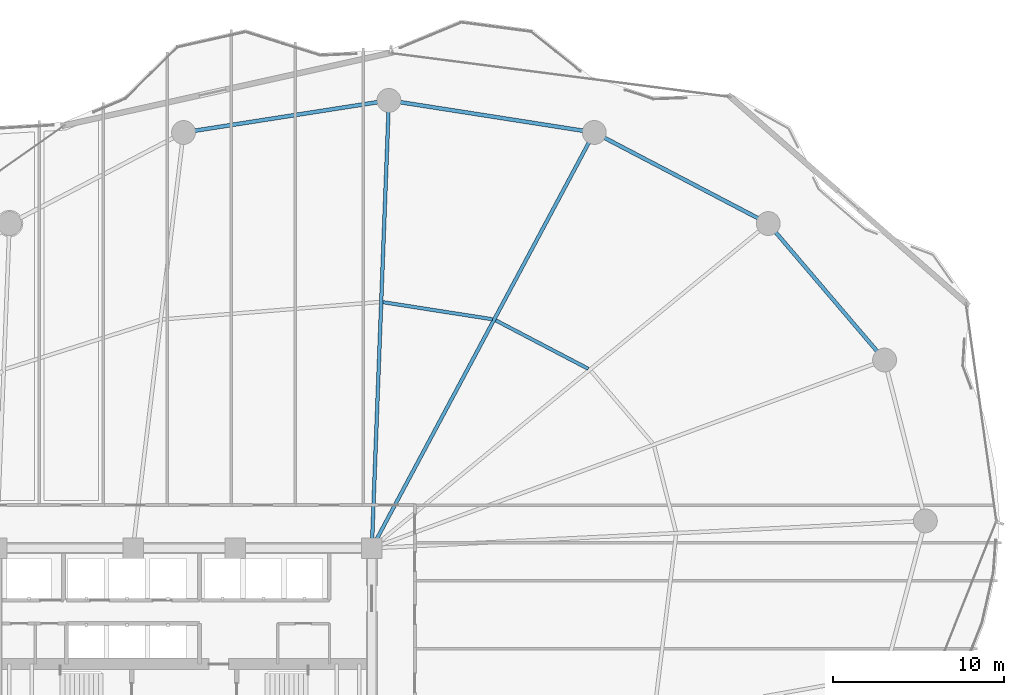
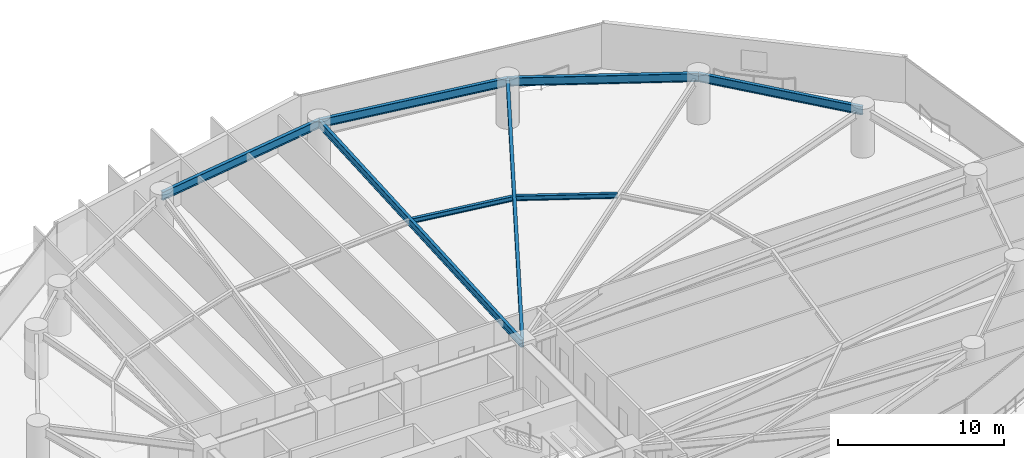
# One storey, part 18 of 32: 8 beams.
"""IFC4 building model written with IfcOpenShell, lengths in metres."""

from ifc_helpers import new_model, si_unit, direction, frame, origin, origin_2d, place, context, subcontext, project, spatial, i_section, extrude, material, material_profile, profile_set, type_object, element, save


model = new_model("IFC4")

# Units and contexts
model_context = context("Model", 3, precision=1e-05, world=origin(), true_north=direction((0.0, 1.0)))
body_context = subcontext(model_context, "Body", "Model", "MODEL_VIEW")
ifc_project = project(units=[si_unit("LENGTHUNIT", "METRE"), si_unit("AREAUNIT", "SQUARE_METRE"), si_unit("VOLUMEUNIT", "CUBIC_METRE"), si_unit("PLANEANGLEUNIT", "RADIAN"), si_unit("MASSUNIT", "GRAM", prefix="KILO")], contexts=[model_context])

# Site, building, storey
site_placement = place(None, origin())
site = spatial("IfcSite", under=ifc_project, at=site_placement, CompositionType="ELEMENT")
building_placement = place(site_placement, origin())
building = spatial("IfcBuilding", under=site, at=building_placement, Name="Kazevale Care Tower and Concert Hall", CompositionType="ELEMENT")
storey_placement = place(building_placement, frame((0.0, 0.0, 34.800048828125)))
storey = spatial("IfcBuildingStorey", under=building, at=storey_placement, Name="L08", CompositionType="ELEMENT", Elevation=34.800048828125)

# Beams
ifc_material = material(Name="Steel ASTM A572 Gr 50", Category="steel")
ifc_material_profile_1 = material_profile(ifc_material, i_section(OverallWidth=0.2119140625, OverallDepth=0.5439453125, WebThickness=0.01318359375, FlangeThickness=0.021240234375, at=origin_2d()), Name="W530x123")
ifc_profile_set_1 = profile_set([ifc_material_profile_1], Name="Steel ASTM A572 Gr 50")
beam_type_1 = type_object("IfcBeamType", Name="Radial Floor Girder W530x123", PredefinedType="BEAM", material=ifc_profile_set_1)
beam_1_placement = place(storey_placement, frame((44.0, 36.39990234375, 3.087890625), z_axis=(0.471788966953, 0.88171150081, 0.0), x_axis=(-0.88171150081, 0.471788966953, 0.0)))
element("IfcBeam", 1, at=beam_1_placement, inside=storey, type_object=beam_type_1, Name="beam:L08:rad:04", PredefinedType="BEAM", context=body_context, shape_type="SweptSolid", body=[
    extrude(i_section(OverallWidth=0.2119140625, OverallDepth=0.5439453125, WebThickness=0.01318359375, FlangeThickness=0.021240234375, at=origin_2d()), origin(), (0.0, 0.0, 1.0), 27.6396484375),
])
beam_2_placement = place(storey_placement, frame((44.0, 36.39990234375, 3.087890625), z_axis=(0.038067625343, 0.999275165258, 0.0), x_axis=(-0.999275165258, 0.038067625343, 0.0)))
element("IfcBeam", 2, at=beam_2_placement, inside=storey, type_object=beam_type_1, Name="beam:L08:rad:05", PredefinedType="BEAM", context=body_context, shape_type="SweptSolid", body=[
    extrude(i_section(OverallWidth=0.2119140625, OverallDepth=0.5439453125, WebThickness=0.01318359375, FlangeThickness=0.021240234375, at=origin_2d()), origin(), (0.0, 0.0, 1.0), 26.26904296875),
])
ifc_material_profile_2 = material_profile(ifc_material, i_section(OverallWidth=0.22900390625, OverallDepth=0.612060546875, WebThickness=0.011962890625, FlangeThickness=0.01953125, at=origin_2d()), Name="W610x125")
ifc_profile_set_2 = profile_set([ifc_material_profile_2], Name="Steel ASTM A572 Gr 50")
beam_type_2 = type_object("IfcBeamType", Name="Ring Spandrel Beam W610x125", PredefinedType="SPANDREL", material=ifc_profile_set_2)
beam_3_placement = place(storey_placement, frame((74.06005859375, 47.429931640625, 3.053955078125), z_axis=(-0.648756004283, 0.760996482848, 0.0), x_axis=(-0.760996482848, -0.648756004283, 0.0)))
element("IfcBeam", 3, at=beam_3_placement, inside=storey, type_object=beam_type_2, Name="beam:L08:ring:02", PredefinedType="SPANDREL", context=body_context, shape_type="SweptSolid", body=[
    extrude(i_section(OverallWidth=0.22900390625, OverallDepth=0.612060546875, WebThickness=0.011962890625, FlangeThickness=0.01953125, at=origin_2d()), origin(), (0.0, 0.0, 1.0), 10.512451171875),
])
beam_4_placement = place(storey_placement, frame((67.239990234375, 55.429931640625, 3.053955078125), z_axis=(-0.885929466679, 0.463819986708, 0.0), x_axis=(-0.463819986708, -0.885929466679, 0.0)))
element("IfcBeam", 4, at=beam_4_placement, inside=storey, type_object=beam_type_2, Name="beam:L08:ring:03", PredefinedType="SPANDREL", context=body_context, shape_type="SweptSolid", body=[
    extrude(i_section(OverallWidth=0.22900390625, OverallDepth=0.612060546875, WebThickness=0.011962890625, FlangeThickness=0.01953125, at=origin_2d()), origin(), (0.0, 0.0, 1.0), 11.51318359375),
])
for number, where, z_axis, x_axis, name in (
    (5, (57.0400390625, 60.77001953125, 3.053955078125), (-0.988029216561, 0.154266870134, 0.0), (-0.154266870134, -0.988029216561, 0.0), "beam:L08:ring:04"),
    (6, (45.0, 62.64990234375, 3.053955078125), (-0.988029216561, -0.154266870134, 0.0), (0.154266870134, -0.988029216561, 0.0), "beam:L08:ring:05"),
):
    element("IfcBeam", number, at=place(storey_placement, frame(where, z_axis=z_axis, x_axis=x_axis)), inside=storey, type_object=beam_type_2, Name=name, PredefinedType="SPANDREL", context=body_context, shape_type="SweptSolid", body=[
        extrude(i_section(OverallWidth=0.22900390625, OverallDepth=0.612060546875, WebThickness=0.011962890625, FlangeThickness=0.01953125, at=origin_2d()), origin(), (0.0, 0.0, 1.0), 12.18603515625),
    ])
ifc_material_profile_3 = material_profile(ifc_material, i_section(OverallWidth=0.205078125, OverallDepth=0.35400390625, WebThickness=0.009521484375, FlangeThickness=0.016845703125, at=origin_2d()), Name="W360x79")
ifc_profile_set_3 = profile_set([ifc_material_profile_3], Name="Steel ASTM A572 Gr 50")
beam_type_3 = type_object("IfcBeamType", Name="Secondary Floor Joist W360x79", PredefinedType="JOIST", material=ifc_profile_set_3)
beam_5_placement = place(storey_placement, frame((56.68896484375, 46.9150390625, 3.182861328125), z_axis=(-0.885921274797, 0.463835633454, 0.0), x_axis=(-0.463835633454, -0.885921274797, 0.0)))
element("IfcBeam", 7, at=beam_5_placement, inside=storey, type_object=beam_type_3, Name="beam:L08:joist:03", PredefinedType="JOIST", context=body_context, shape_type="SweptSolid", body=[
    extrude(i_section(OverallWidth=0.205078125, OverallDepth=0.35400390625, WebThickness=0.009521484375, FlangeThickness=0.016845703125, at=origin_2d()), origin(), (0.0, 0.0, 1.0), 6.12255859375),
])
beam_6_placement = place(storey_placement, frame((51.068115234375, 49.820068359375, 3.182861328125), z_axis=(-0.988040697826, 0.154193318403, 0.0), x_axis=(-0.154193318403, -0.988040697826, 0.0)))
element("IfcBeam", 8, at=beam_6_placement, inside=storey, type_object=beam_type_3, Name="beam:L08:joist:04", PredefinedType="JOIST", context=body_context, shape_type="SweptSolid", body=[
    extrude(i_section(OverallWidth=0.205078125, OverallDepth=0.35400390625, WebThickness=0.009521484375, FlangeThickness=0.016845703125, at=origin_2d()), origin(), (0.0, 0.0, 1.0), 6.49169921875),
])

save(model, "model.ifc")
